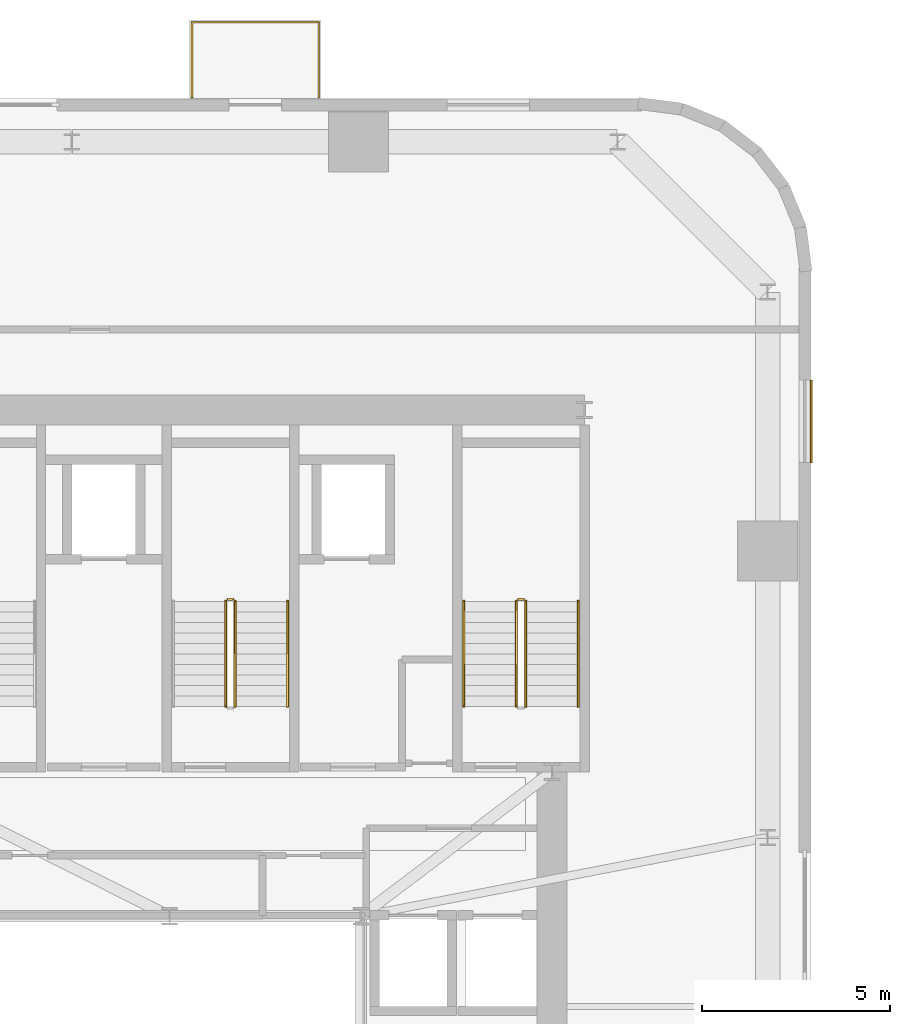
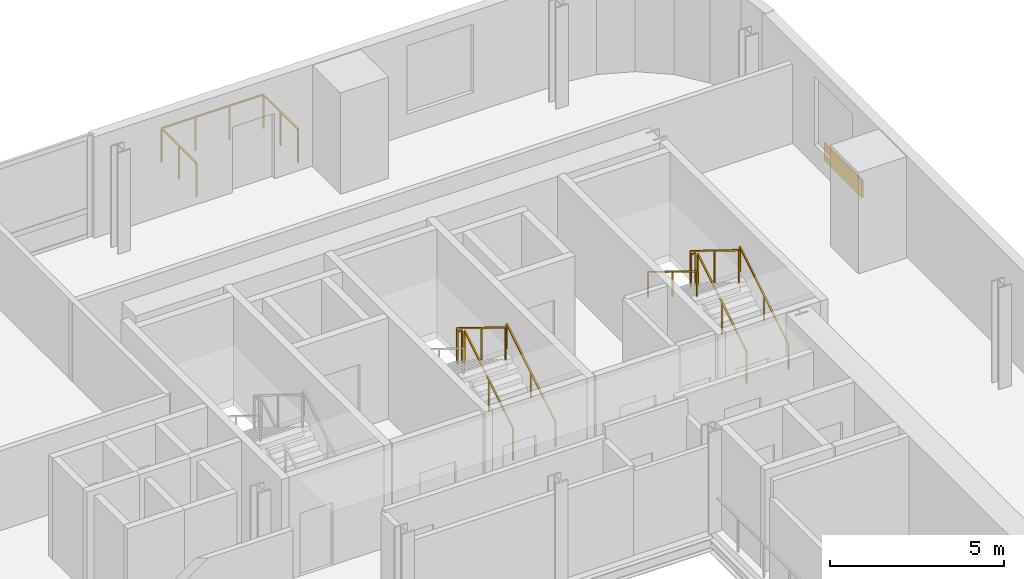
# One storey, part 14 of 14: 10 railings, 1 covering.
"""IFC4 building model written with IfcOpenShell, lengths in metres."""

from ifc_helpers import new_model, si_unit, direction, frame, origin, origin_2d, place, context, subcontext, project, spatial, rectangle, extrude, source, transform, mapped, material, layer, layer_set, type_object, element, save


model = new_model("IFC4")

# Units and contexts
model_context = context("Model", 3, precision=1e-05, world=origin(), true_north=direction((0.0, 1.0)))
body_context = subcontext(model_context, "Body", "Model", "MODEL_VIEW")
ifc_project = project(units=[si_unit("LENGTHUNIT", "METRE"), si_unit("AREAUNIT", "SQUARE_METRE"), si_unit("VOLUMEUNIT", "CUBIC_METRE"), si_unit("PLANEANGLEUNIT", "RADIAN"), si_unit("MASSUNIT", "GRAM", prefix="KILO")], contexts=[model_context])

# Site, building, storey
site_placement = place(None, origin())
site = spatial("IfcSite", under=ifc_project, at=site_placement, CompositionType="ELEMENT")
building_placement = place(site_placement, origin())
building = spatial("IfcBuilding", under=site, at=building_placement, Name="Vardaveli Station Tower", CompositionType="ELEMENT")
storey_placement = place(building_placement, frame((0.0, 0.0, 107.5)))
storey = spatial("IfcBuildingStorey", under=building, at=storey_placement, Name="L27", CompositionType="ELEMENT", Elevation=107.5)

# Covering
ifc_material_1 = material(Name="Ventilated honed travertine stone cladding", Category="masonry")
ifc_layer = layer(ifc_material_1, 0.044921875, Name="Ventilated honed travertine stone cladding")
ifc_layer_set = layer_set([ifc_layer], Name="Ventilated honed travertine stone cladding")
covering_type = type_object("IfcCoveringType", Name="COV-CLAD-TR45", PredefinedType="CLADDING", material=ifc_layer_set)
shared_shape_1 = source(origin(), body_context, "Body", "SweptSolid", [
    extrude(rectangle(XDim=2.199951171875, YDim=0.044921875, at=origin_2d()), origin(), (0.0, 0.0, 1.0), 0.6201171875),
])
covering_placement = place(storey_placement, frame((53.41455078125, 39.9951171875, 0.06982421875), z_axis=(0.0, 0.0, 1.0), x_axis=(0.0, 1.0, 0.0)))
element("IfcCovering", 1, at=covering_placement, inside=storey, type_object=covering_type, Name="CLD-TR-L27-E", PredefinedType="CLADDING", context=body_context, shape_type="MappedRepresentation", body=[
    mapped(shared_shape_1, transform((0.0, 0.0, 0.0), scale=1.0)),
])

# Railings
ifc_material_2 = material(Name="Laminated glass and stainless steel balustrade", Category="steel")
railing_type_1 = type_object("IfcRailingType", Name="RL-BAL-1200", PredefinedType="BALUSTRADE", material=ifc_material_2)
shared_shape_2 = source(origin(), body_context, "Body", "SweptSolid", [
    extrude(rectangle(XDim=0.048095703125, YDim=0.048095703125, at=origin_2d()), frame((0.0, 0.0, 1.17578125), z_axis=(0.0, 1.0, 0.0), x_axis=(-1.0, 0.0, 0.0)), (0.0, 0.0, 1.0), 2.0),
    extrude(rectangle(XDim=0.048095703125, YDim=0.048095703125, at=origin_2d()), frame((0.0, 2.0, 1.17578125), z_axis=(1.0, 0.0, 0.0), x_axis=(0.0, 1.0, 0.0)), (0.0, 0.0, 1.0), 3.3798828125),
    extrude(rectangle(XDim=0.048095703125, YDim=0.048095703125, at=origin_2d()), frame((3.3798828125, 2.0, 1.17578125), z_axis=(0.0, -1.0, 0.0), x_axis=(1.0, 0.0, 0.0)), (0.0, 0.0, 1.0), 2.0),
    extrude(rectangle(XDim=0.0419921875, YDim=0.0419921875, at=origin_2d()), origin(), (0.0, 0.0, 1.0), 1.15185546875),
    extrude(rectangle(XDim=0.0419921875, YDim=0.0419921875, at=origin_2d()), frame((0.0, 1.0, 0.0)), (0.0, 0.0, 1.0), 1.15185546875),
    extrude(rectangle(XDim=0.0419921875, YDim=0.0419921875, at=origin_2d()), frame((0.0, 2.0, 0.0)), (0.0, 0.0, 1.0), 1.15185546875),
    extrude(rectangle(XDim=0.0419921875, YDim=0.0419921875, at=origin_2d()), frame((1.126708984375, 2.0, 0.0)), (0.0, 0.0, 1.0), 1.15185546875),
    extrude(rectangle(XDim=0.0419921875, YDim=0.0419921875, at=origin_2d()), frame((2.253173828125, 2.0, 0.0)), (0.0, 0.0, 1.0), 1.15185546875),
    extrude(rectangle(XDim=0.0419921875, YDim=0.0419921875, at=origin_2d()), frame((3.3798828125, 2.0, 0.0)), (0.0, 0.0, 1.0), 1.15185546875),
    extrude(rectangle(XDim=0.0419921875, YDim=0.0419921875, at=origin_2d()), frame((3.3798828125, 1.0, 0.0)), (0.0, 0.0, 1.0), 1.15185546875),
    extrude(rectangle(XDim=0.0419921875, YDim=0.0419921875, at=origin_2d()), frame((3.3798828125, 0.0, 0.0)), (0.0, 0.0, 1.0), 1.15185546875),
])
railing_1_placement = place(storey_placement, frame((36.899658203125, 48.639892578125, 0.0)))
element("IfcRailing", 2, at=railing_1_placement, inside=storey, type_object=railing_type_1, Name="RL-LOG-L27-02", PredefinedType="BALUSTRADE", context=body_context, shape_type="MappedRepresentation", body=[
    mapped(shared_shape_2, transform((0.0, 0.0, 0.0), scale=1.0)),
])
ifc_material_3 = material(Name="Brushed AISI 316 stainless steel", Category="steel")
railing_type_2 = type_object("IfcRailingType", Name="RL-GUARD-1150", PredefinedType="GUARDRAIL", material=ifc_material_3)
shared_shape_3 = source(origin(), body_context, "Body", "SweptSolid", [
    extrude(rectangle(XDim=0.048095703125, YDim=0.048095703125, at=origin_2d()), frame((0.0, 0.0, 1.1259765625), z_axis=(-1.0, 0.0, 0.0), x_axis=(0.0, -1.0, 0.0)), (0.0, 0.0, 1.0), 0.14990234375),
    extrude(rectangle(XDim=0.0419921875, YDim=0.0419921875, at=origin_2d()), origin(), (0.0, 0.0, 1.0), 1.101806640625),
    extrude(rectangle(XDim=0.0419921875, YDim=0.0419921875, at=origin_2d()), frame((-0.14990234375, 0.0, 0.0)), (0.0, 0.0, 1.0), 1.101806640625),
])
for number, where, name in (
    (3, (38.0, 35.25, 1.89990234375), "L27 ST-2 stair guard 2"),
    (4, (45.75, 35.25, 1.89990234375), "L27 ST-3 stair guard 2"),
):
    element("IfcRailing", number, at=place(storey_placement, frame(where)), inside=storey, type_object=railing_type_2, Name=name, PredefinedType="GUARDRAIL", context=body_context, shape_type="MappedRepresentation", body=[
        mapped(shared_shape_3, transform((0.0, 0.0, 0.0), scale=1.0)),
    ])
shared_shape_4 = source(origin(), body_context, "Body", "SweptSolid", [
    extrude(rectangle(XDim=0.048095703125, YDim=0.048095703125, at=origin_2d()), frame((0.0, 0.0, 1.1259765625), z_axis=(0.0, 0.851089632645, 0.525020415988), x_axis=(-1.0, 0.0, 0.0)), (0.0, 0.0, 1.0), 3.2900390625),
    extrude(rectangle(XDim=0.0419921875, YDim=0.0419921875, at=origin_2d()), origin(), (0.0, 0.0, 1.0), 1.101806640625),
    extrude(rectangle(XDim=0.0419921875, YDim=0.0419921875, at=origin_2d()), frame((0.0, 1.39990234375, 0.86376953125)), (0.0, 0.0, 1.0), 1.101806640625),
    extrude(rectangle(XDim=0.0419921875, YDim=0.0419921875, at=origin_2d()), frame((0.0, 2.800048828125, 1.727294921875)), (0.0, 0.0, 1.0), 1.101806640625),
])
for number, where, name in (
    (5, (38.050048828125, 32.39990234375, 0.172607421875), "L27 ST-2 stair guard 1"),
    (6, (45.800048828125, 32.39990234375, 0.172607421875), "L27 ST-3 stair guard 1"),
):
    element("IfcRailing", number, at=place(storey_placement, frame(where)), inside=storey, type_object=railing_type_2, Name=name, PredefinedType="GUARDRAIL", context=body_context, shape_type="MappedRepresentation", body=[
        mapped(shared_shape_4, transform((0.0, 0.0, 0.0), scale=1.0)),
    ])
shared_shape_5 = source(origin(), body_context, "Body", "SweptSolid", [
    extrude(rectangle(XDim=0.048095703125, YDim=0.048095703125, at=origin_2d()), frame((0.0, 0.0, 1.1259765625), z_axis=(0.0, -0.851089632645, 0.525020415988), x_axis=(1.0, 0.0, 0.0)), (0.0, 0.0, 1.0), 3.2900390625),
    extrude(rectangle(XDim=0.0419921875, YDim=0.0419921875, at=origin_2d()), origin(), (0.0, 0.0, 1.0), 1.101806640625),
    extrude(rectangle(XDim=0.0419921875, YDim=0.0419921875, at=origin_2d()), frame((0.0, -1.39990234375, 0.86376953125)), (0.0, 0.0, 1.0), 1.101806640625),
    extrude(rectangle(XDim=0.0419921875, YDim=0.0419921875, at=origin_2d()), frame((0.0, -2.800048828125, 1.727294921875)), (0.0, 0.0, 1.0), 1.101806640625),
])
for number, where, name in (
    (7, (37.800048828125, 35.199951171875, 2.07275390625), "L27 ST-2 stair guard 3"),
    (8, (45.550048828125, 35.199951171875, 2.07275390625), "L27 ST-3 stair guard 3"),
):
    element("IfcRailing", number, at=place(storey_placement, frame(where)), inside=storey, type_object=railing_type_2, Name=name, PredefinedType="GUARDRAIL", context=body_context, shape_type="MappedRepresentation", body=[
        mapped(shared_shape_5, transform((0.0, 0.0, 0.0), scale=1.0)),
    ])
railing_type_3 = type_object("IfcRailingType", Name="RL-HAND-900", PredefinedType="HANDRAIL", material=ifc_material_3)
shared_shape_6 = source(origin(), body_context, "Body", "SweptSolid", [
    extrude(rectangle(XDim=0.048095703125, YDim=0.048095703125, at=origin_2d()), frame((0.0, 0.0, 0.8759765625), z_axis=(0.0, 0.851089632645, 0.525020415988), x_axis=(-1.0, 0.0, 0.0)), (0.0, 0.0, 1.0), 3.2900390625),
    extrude(rectangle(XDim=0.0419921875, YDim=0.0419921875, at=origin_2d()), origin(), (0.0, 0.0, 1.0), 0.851806640625),
    extrude(rectangle(XDim=0.0419921875, YDim=0.0419921875, at=origin_2d()), frame((0.0, 1.39990234375, 0.86376953125)), (0.0, 0.0, 1.0), 0.851806640625),
    extrude(rectangle(XDim=0.0419921875, YDim=0.0419921875, at=origin_2d()), frame((0.0, 2.800048828125, 1.727294921875)), (0.0, 0.0, 1.0), 0.851806640625),
])
for number, where, name in (
    (9, (39.449951171875, 32.39990234375, 0.172607421875), "L27 ST-2 stair handrail 1"),
    (10, (47.199951171875, 32.39990234375, 0.172607421875), "L27 ST-3 stair handrail 1"),
):
    element("IfcRailing", number, at=place(storey_placement, frame(where)), inside=storey, type_object=railing_type_3, Name=name, PredefinedType="HANDRAIL", context=body_context, shape_type="MappedRepresentation", body=[
        mapped(shared_shape_6, transform((0.0, 0.0, 0.0), scale=1.0)),
    ])
shared_shape_7 = source(origin(), body_context, "Body", "SweptSolid", [
    extrude(rectangle(XDim=0.048095703125, YDim=0.048095703125, at=origin_2d()), frame((0.0, 0.0, 0.8759765625), z_axis=(0.0, -0.851089632645, 0.525020415988), x_axis=(1.0, 0.0, 0.0)), (0.0, 0.0, 1.0), 3.2900390625),
    extrude(rectangle(XDim=0.0419921875, YDim=0.0419921875, at=origin_2d()), origin(), (0.0, 0.0, 1.0), 0.851806640625),
    extrude(rectangle(XDim=0.0419921875, YDim=0.0419921875, at=origin_2d()), frame((0.0, -1.39990234375, 0.86376953125)), (0.0, 0.0, 1.0), 0.851806640625),
    extrude(rectangle(XDim=0.0419921875, YDim=0.0419921875, at=origin_2d()), frame((0.0, -2.800048828125, 1.727294921875)), (0.0, 0.0, 1.0), 0.851806640625),
])
railing_2_placement = place(storey_placement, frame((44.14990234375, 35.199951171875, 2.07275390625)))
element("IfcRailing", 11, at=railing_2_placement, inside=storey, type_object=railing_type_3, Name="L27 ST-3 stair handrail 2", PredefinedType="HANDRAIL", context=body_context, shape_type="MappedRepresentation", body=[
    mapped(shared_shape_7, transform((0.0, 0.0, 0.0), scale=1.0)),
])

save(model, "model.ifc")
